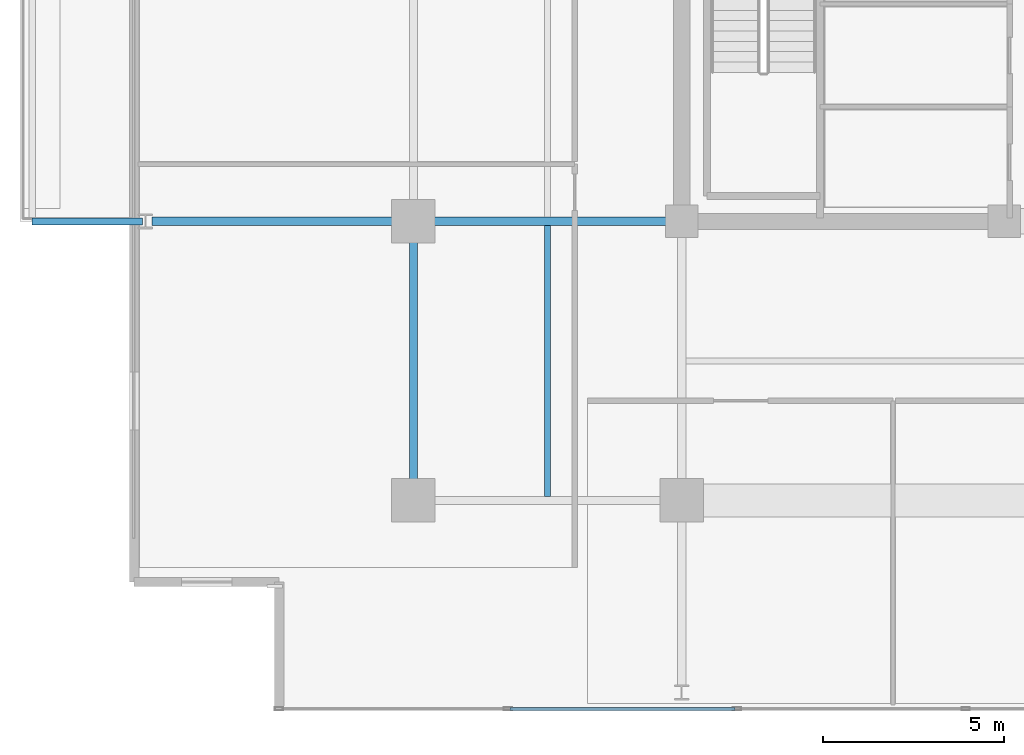
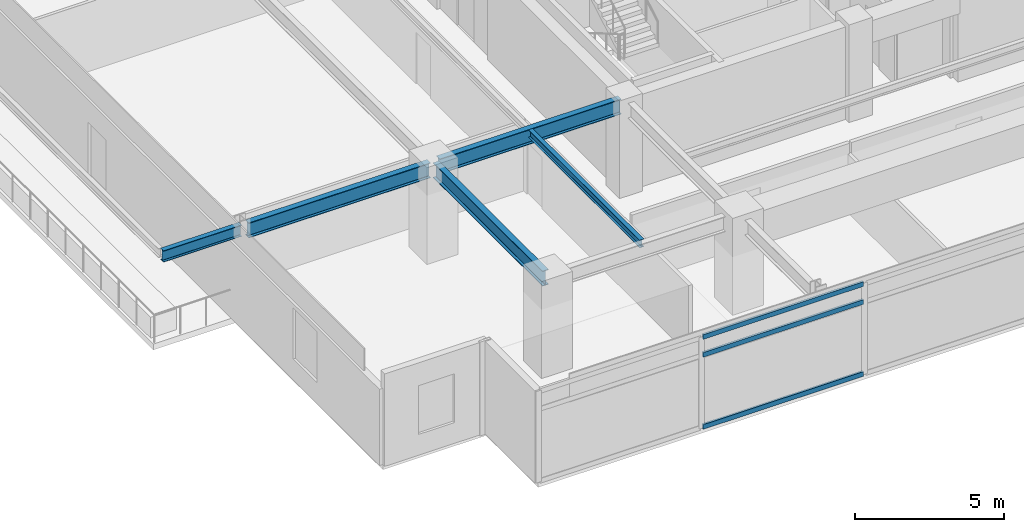
# One storey, part 3 of 24: 5 beams, 3 members, 1 element without a shape of its own.
"""IFC4 building model written with IfcOpenShell, lengths in metres."""

from ifc_helpers import new_model, si_unit, direction, frame, origin, origin_2d, place, context, subcontext, project, spatial, hollow_rectangle, i_section, extrude, material, material_profile, profile_set, type_object, element, aggregate, save


model = new_model("IFC4")

# Units and contexts
model_context = context("Model", 3, precision=1e-05, world=origin(), true_north=direction((0.0, 1.0)))
body_context = subcontext(model_context, "Body", "Model", "MODEL_VIEW")
ifc_project = project(units=[si_unit("LENGTHUNIT", "METRE"), si_unit("AREAUNIT", "SQUARE_METRE"), si_unit("VOLUMEUNIT", "CUBIC_METRE"), si_unit("PLANEANGLEUNIT", "RADIAN"), si_unit("MASSUNIT", "GRAM", prefix="KILO")], contexts=[model_context])

# Site, building, storey
site_placement = place(None, origin())
site = spatial("IfcSite", under=ifc_project, at=site_placement, CompositionType="ELEMENT")
building_placement = place(site_placement, origin())
building = spatial("IfcBuilding", under=site, at=building_placement, Name="Kovane Verandah Tower", CompositionType="ELEMENT")
storey_placement = place(building_placement, frame((0.0, 0.0, 271.199951171875)))
storey = spatial("IfcBuildingStorey", under=building, at=storey_placement, Name="L63", CompositionType="ELEMENT", Elevation=271.199951171875)

# Beams
ifc_material_1 = material(Name="Steel S355", Category="steel")
ifc_material_profile_1 = material_profile(ifc_material_1, i_section(OverallWidth=0.230224609375, OverallDepth=0.6171875, WebThickness=0.01318359375, FlangeThickness=0.022216796875, FilletRadius=0.0126953125, at=origin_2d()), Name="UB610x229x140")
ifc_profile_set_1 = profile_set([ifc_material_profile_1], Name="Steel S355")
beam_type_1 = type_object("IfcBeamType", Name="BM-UB610x140", PredefinedType="BEAM", material=ifc_profile_set_1)
beam_1_placement = place(storey_placement, frame((21.60009765625, 10.97998046875, 3.4765625), z_axis=(0.0, 1.0, 0.0), x_axis=(-1.0, 0.0, 0.0)))
element("IfcBeam", 1, at=beam_1_placement, inside=storey, type_object=beam_type_1, Name="L63 Primary Tower Girder G-RW1", PredefinedType="BEAM", context=body_context, shape_type="SweptSolid", body=[
    extrude(i_section(OverallWidth=0.230224609375, OverallDepth=0.6171875, WebThickness=0.01318359375, FlangeThickness=0.022216796875, FilletRadius=0.0126953125, at=origin_2d()), origin(), (0.0, 0.0, 1.0), 7.340087890625),
])
for number, where, z_axis, x_axis, name in (
    (2, (28.820068359375, 18.5, 3.4765625), (-1.0, 0.0, 0.0), (0.0, -1.0, 0.0), "L63 Primary Tower Girder G-W1"),
    (3, (21.419921875, 18.5, 3.451416015625), (-1.0, 0.0, 0.0), (0.0, -1.0, 0.0), "L63 Primary Tower Girder G-VW1"),
):
    element("IfcBeam", number, at=place(storey_placement, frame(where, z_axis=z_axis, x_axis=x_axis)), inside=storey, type_object=beam_type_1, Name=name, PredefinedType="BEAM", context=body_context, shape_type="SweptSolid", body=[
        extrude(i_section(OverallWidth=0.230224609375, OverallDepth=0.6171875, WebThickness=0.01318359375, FlangeThickness=0.022216796875, FilletRadius=0.0126953125, at=origin_2d()), origin(), (0.0, 0.0, 1.0), 7.0400390625),
    ])

# Curtain wall, members
ifc_material_2 = material(Name="Champagne Anodised Aluminium Frame with Low-E Clear Laminated Glass", Category="aluminium")
curtain_wall_type = type_object("IfcCurtainWallType", Name="CW-SYS-05-HIGH", PredefinedType="NOTDEFINED", material=ifc_material_2)
curtain_wall_placement = place(storey_placement, origin())
curtain_wall = element("IfcCurtainWall", 4, at=curtain_wall_placement, inside=storey, type_object=curtain_wall_type, Name="L63 S Unitised Curtain Wall", PredefinedType="NOTDEFINED")
ifc_material_3 = material(Name="Champagne Anodised Aluminium 6063-T6", Category="aluminium")
ifc_material_profile_2 = material_profile(ifc_material_3, hollow_rectangle(XDim=0.0849609375, YDim=0.18994140625, WallThickness=0.00390625, at=origin_2d()), Name="AL85x190x4")
ifc_profile_set_2 = profile_set([ifc_material_profile_2], Name="Champagne Anodised Aluminium 6063-T6")
member_type = type_object("IfcMemberType", Name="CW-TRN-85x190", PredefinedType="USERDEFINED", material=ifc_profile_set_2)
member_1_placement = place(storey_placement, frame((24.259033203125, 5.05029296875, 0.050048828125), z_axis=(1.0, 0.0, 0.0), x_axis=(0.0, 1.0, 0.0)))
member_1 = element("IfcMember", 5, at=member_1_placement, type_object=member_type, Name="L63 S Unitised Curtain Wall Transom TB Bay 2", ObjectType="TRANSOM", PredefinedType="USERDEFINED", context=body_context, shape_type="SweptSolid", body=[
    extrude(hollow_rectangle(XDim=0.0849609375, YDim=0.18994140625, WallThickness=0.00390625, at=origin_2d()), origin(), (0.0, 0.0, 1.0), 6.216552734375),
])
member_2_placement = place(storey_placement, frame((24.259033203125, 5.05029296875, 3.005126953125), z_axis=(1.0, 0.0, 0.0), x_axis=(0.0, 1.0, 0.0)))
member_2 = element("IfcMember", 6, at=member_2_placement, type_object=member_type, Name="L63 S Unitised Curtain Wall Transom TM Bay 2", ObjectType="TRANSOM", PredefinedType="USERDEFINED", context=body_context, shape_type="SweptSolid", body=[
    extrude(hollow_rectangle(XDim=0.0849609375, YDim=0.18994140625, WallThickness=0.00390625, at=origin_2d()), origin(), (0.0, 0.0, 1.0), 6.216552734375),
])
member_3_placement = place(storey_placement, frame((24.259033203125, 5.05029296875, 3.735107421875), z_axis=(1.0, 0.0, 0.0), x_axis=(0.0, 1.0, 0.0)))
member_3 = element("IfcMember", 7, at=member_3_placement, type_object=member_type, Name="L63 S Unitised Curtain Wall Transom TT Bay 2", ObjectType="TRANSOM", PredefinedType="USERDEFINED", context=body_context, shape_type="SweptSolid", body=[
    extrude(hollow_rectangle(XDim=0.0849609375, YDim=0.18994140625, WallThickness=0.00390625, at=origin_2d()), origin(), (0.0, 0.0, 1.0), 6.216552734375),
])
aggregate(curtain_wall, [member_1, member_2, member_3])

# Beams
ifc_material_profile_3 = material_profile(ifc_material_1, i_section(OverallWidth=0.1669921875, OverallDepth=0.310302734375, WebThickness=0.0078125, FlangeThickness=0.013671875, FilletRadius=0.0087890625, at=origin_2d()), Name="UB305x165x54")
ifc_profile_set_3 = profile_set([ifc_material_profile_3], Name="Steel S355")
beam_type_2 = type_object("IfcBeamType", Name="JST-UB305x54", PredefinedType="JOIST", material=ifc_profile_set_3)
beam_2_placement = place(storey_placement, frame((25.300048828125, 10.9130859375, 3.6298828125), z_axis=(0.0, 1.0, 0.0), x_axis=(-1.0, 0.0, 0.0)))
element("IfcBeam", 8, at=beam_2_placement, inside=storey, type_object=beam_type_2, Name="L63 Secondary Composite Joist J-SW1", PredefinedType="JOIST", context=body_context, shape_type="SweptSolid", body=[
    extrude(i_section(OverallWidth=0.1669921875, OverallDepth=0.310302734375, WebThickness=0.0078125, FlangeThickness=0.013671875, FilletRadius=0.0087890625, at=origin_2d()), origin(), (0.0, 0.0, 1.0), 7.473876953125),
])
ifc_material_profile_4 = material_profile(ifc_material_1, i_section(OverallWidth=0.19287109375, OverallDepth=0.46728515625, WebThickness=0.011474609375, FlangeThickness=0.01953125, FilletRadius=0.01025390625, at=origin_2d()), Name="UB457x191x98")
ifc_profile_set_4 = profile_set([ifc_material_profile_4], Name="Steel S355")
beam_type_3 = type_object("IfcBeamType", Name="JST-UB457x98", PredefinedType="JOIST", material=ifc_profile_set_4)
beam_3_placement = place(storey_placement, frame((14.1201171875, 18.5, 3.5263671875), z_axis=(-1.0, 0.0, 0.0), x_axis=(0.0, -1.0, 0.0)))
element("IfcBeam", 9, at=beam_3_placement, inside=storey, type_object=beam_type_3, Name="L63 West Planter Girder 1", PredefinedType="JOIST", context=body_context, shape_type="SweptSolid", body=[
    extrude(i_section(OverallWidth=0.19287109375, OverallDepth=0.46728515625, WebThickness=0.011474609375, FlangeThickness=0.01953125, FilletRadius=0.01025390625, at=origin_2d()), origin(), (0.0, 0.0, 1.0), 3.039306640625),
])

save(model, "model.ifc")
